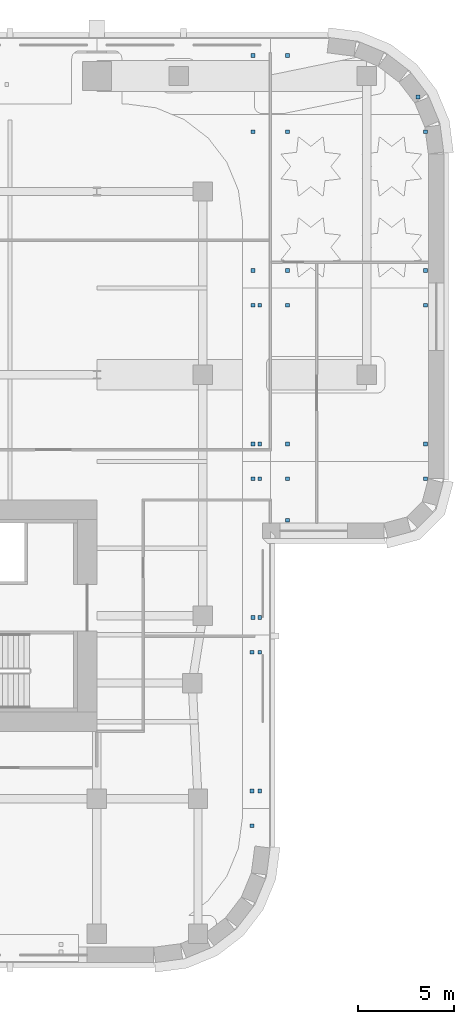
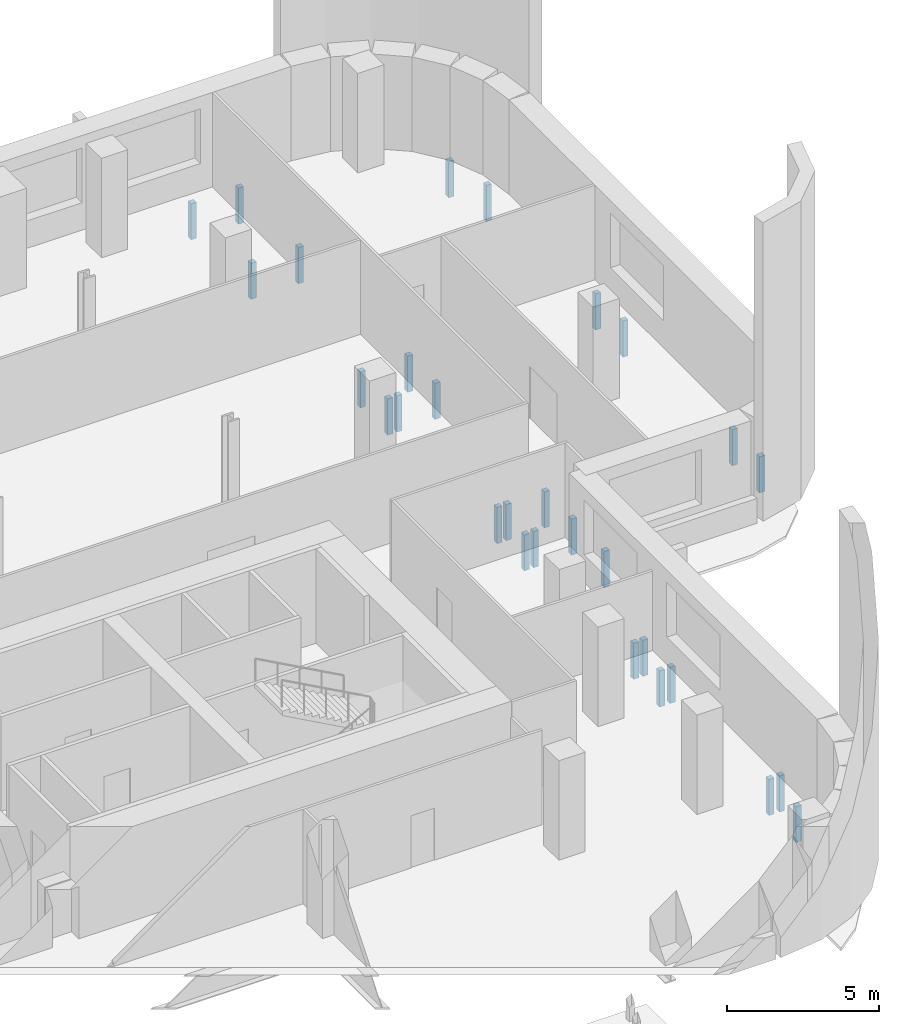
# One storey, part 10 of 13: 29 discrete accessories.
"""IFC4 building model written with IfcOpenShell, lengths in metres."""

from ifc_helpers import new_model, si_unit, direction, frame, origin, origin_2d, place, context, subcontext, project, spatial, rectangle, extrude, material, type_object, element, save


model = new_model("IFC4")

# Units and contexts
model_context = context("Model", 3, precision=1e-05, world=origin(), true_north=direction((0.0, 1.0)))
body_context = subcontext(model_context, "Body", "Model", "MODEL_VIEW")
ifc_project = project(units=[si_unit("LENGTHUNIT", "METRE"), si_unit("AREAUNIT", "SQUARE_METRE"), si_unit("VOLUMEUNIT", "CUBIC_METRE"), si_unit("PLANEANGLEUNIT", "RADIAN"), si_unit("MASSUNIT", "GRAM", prefix="KILO")], contexts=[model_context])

# Site, building, storey
site_placement = place(None, origin())
site = spatial("IfcSite", under=ifc_project, at=site_placement, CompositionType="ELEMENT")
building_placement = place(site_placement, origin())
building = spatial("IfcBuilding", under=site, at=building_placement, Name="Zellij Exchange Tower", CompositionType="ELEMENT")
storey_placement = place(building_placement, frame((0.0, 0.0, 108.5)))
storey = spatial("IfcBuildingStorey", under=building, at=storey_placement, Name="L23", CompositionType="ELEMENT", Elevation=108.5)

# Discrete accessories
ifc_material = material(Name="Stainless steel", Category="steel")
discrete_accessory_type = type_object("IfcDiscreteAccessoryType", Name="ENV-BR1 Stone panel bracket 200", PredefinedType="USERDEFINED", material=ifc_material)
for number, where, z_axis, x_axis, name in (
    (1, (35.050048828125, -18.89990234375, -1.64990234375), (0.0, 0.0, 1.0), (1.0, 0.0, 0.0), "Panel bracket"),
    (2, (35.449951171875, -17.10009765625, -1.64990234375), (0.0, 0.0, 1.0), (1.0, 0.0, 0.0), "Panel bracket"),
    (3, (35.050048828125, -17.10009765625, -1.64990234375), (0.0, 0.0, 1.0), (1.0, 0.0, 0.0), "Panel bracket"),
    (4, (35.449951171875, -9.89990234375, -1.64990234375), (0.0, 0.0, 1.0), (1.0, 0.0, 0.0), "Panel bracket"),
    (5, (35.050048828125, -9.89990234375, -1.64990234375), (0.0, 0.0, 1.0), (1.0, 0.0, 0.0), "Panel bracket"),
    (6, (35.449951171875, -8.10009765625, -1.64990234375), (0.0, 0.0, 1.0), (1.0, 0.0, 0.0), "Panel bracket"),
    (7, (35.10009765625, -8.10009765625, -1.64990234375), (0.0, 0.0, 1.0), (1.0, 0.0, 0.0), "Panel bracket"),
    (8, (35.449951171875, -0.89990234375, -1.64990234375), (0.0, 0.0, 1.0), (1.0, 0.0, 0.0), "Panel bracket"),
    (9, (35.10009765625, -0.89990234375, -1.64990234375), (0.0, 0.0, 1.0), (1.0, 0.0, 0.0), "Panel bracket"),
    (10, (35.449951171875, 0.89990234375, -1.64990234375), (0.0, 0.0, 1.0), (1.0, 0.0, 0.0), "Panel bracket"),
    (11, (35.10009765625, 0.89990234375, -1.64990234375), (0.0, 0.0, 1.0), (1.0, 0.0, 0.0), "Panel bracket"),
    (12, (35.449951171875, 8.10009765625, -1.64990234375), (0.0, 0.0, 1.0), (1.0, 0.0, 0.0), "Panel bracket"),
    (13, (35.10009765625, 8.10009765625, -1.64990234375), (0.0, 0.0, 1.0), (1.0, 0.0, 0.0), "Panel bracket"),
    (14, (35.10009765625, 9.89990234375, -1.64990234375), (0.0, 0.0, 1.0), (1.0, 0.0, 0.0), "Panel bracket"),
    (15, (35.10009765625, 17.10009765625, -1.64990234375), (0.0, 0.0, 1.0), (1.0, 0.0, 0.0), "Panel bracket"),
    (16, (35.10009765625, 21.050048828125, -1.64990234375), (0.0, 0.0, 1.0), (1.0, 0.0, 0.0), "Panel bracket"),
    (17, (36.89990234375, -3.050048828125, -1.64990234375), (0.0, 0.0, 1.0), (1.0, 0.0, 0.0), "Panel bracket"),
    (18, (36.89990234375, -0.89990234375, -1.64990234375), (0.0, 0.0, 1.0), (1.0, 0.0, 0.0), "Panel bracket"),
    (19, (44.050048828125, -0.89990234375, -1.64990234375), (0.0, 0.0, 1.0), (1.0, 0.0, 0.0), "Panel bracket"),
    (20, (36.89990234375, 0.89990234375, -1.64990234375), (0.0, 0.0, 1.0), (1.0, 0.0, 0.0), "Panel bracket"),
    (21, (44.050048828125, 0.89990234375, -1.64990234375), (0.0, 0.0, 1.0), (1.0, 0.0, 0.0), "Panel bracket"),
    (22, (36.89990234375, 8.10009765625, -1.64990234375), (0.0, 0.0, 1.0), (1.0, 0.0, 0.0), "Panel bracket"),
    (23, (44.050048828125, 8.10009765625, -1.64990234375), (0.0, 0.0, 1.0), (1.0, 0.0, 0.0), "Panel bracket"),
    (24, (36.89990234375, 9.89990234375, -1.64990234375), (0.0, 0.0, 1.0), (1.0, 0.0, 0.0), "Panel bracket"),
    (25, (44.050048828125, 9.89990234375, -1.64990234375), (0.0, 0.0, 1.0), (1.0, 0.0, 0.0), "Panel bracket"),
    (26, (36.89990234375, 17.10009765625, -1.64990234375), (0.0, 0.0, 1.0), (1.0, 0.0, 0.0), "Panel bracket"),
    (27, (44.050048828125, 17.10009765625, -1.64990234375), (0.0, 0.0, 1.0), (1.0, 0.0, 0.0), "Panel bracket"),
    (28, (43.65625, 18.89990234375, -1.64990234375), (0.0, 0.0, 1.0), (1.0, 0.0, 0.0), "Panel bracket"),
    (29, (36.89990234375, 21.050048828125, -1.64990234375), (0.0, 0.0, 1.0), (1.0, 0.0, 0.0), "Panel bracket"),
):
    element("IfcDiscreteAccessory", number, at=place(storey_placement, frame(where, z_axis=z_axis, x_axis=x_axis)), inside=storey, type_object=discrete_accessory_type, Name=name, ObjectType="BRACKET", PredefinedType="USERDEFINED", context=body_context, shape_type="SweptSolid", body=[
        extrude(rectangle(XDim=0.199951171875, YDim=0.199951171875, at=origin_2d()), origin(), (0.0, 0.0, 1.0), 1.449951171875),
    ])

save(model, "model.ifc")
